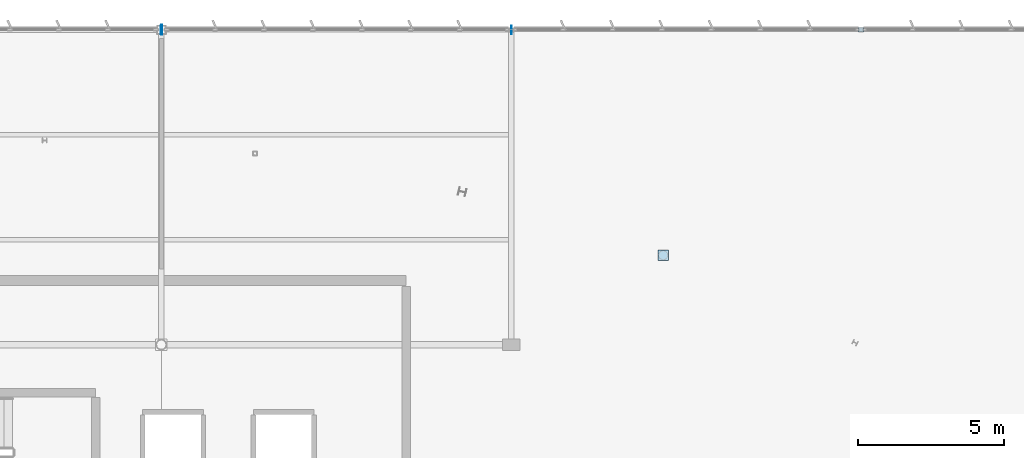
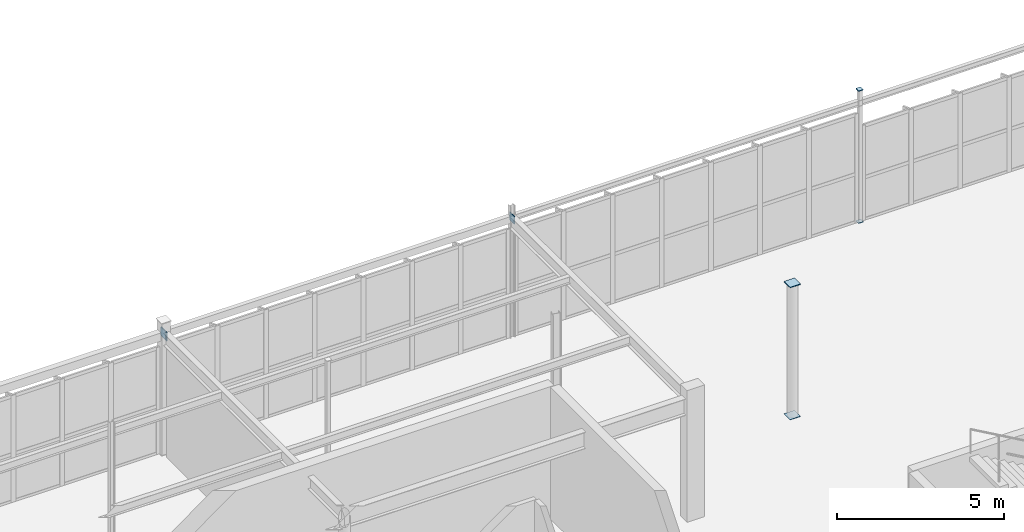
# One storey, part 177 of 226: 7 plates.
"""IFC4 building model written with IfcOpenShell, lengths in metres."""

from ifc_helpers import new_model, si_unit, direction, frame, origin, origin_2d, place, context, subcontext, project, spatial, rectangle, extrude, material, layer, layer_set, type_object, element, save


model = new_model("IFC4")

# Units and contexts
model_context = context("Model", 3, precision=1e-05, world=origin(), true_north=direction((0.0, 1.0)))
body_context = subcontext(model_context, "Body", "Model", "MODEL_VIEW")
ifc_project = project(units=[si_unit("LENGTHUNIT", "METRE"), si_unit("AREAUNIT", "SQUARE_METRE"), si_unit("VOLUMEUNIT", "CUBIC_METRE"), si_unit("PLANEANGLEUNIT", "RADIAN"), si_unit("MASSUNIT", "GRAM", prefix="KILO")], contexts=[model_context])

# Site, building, storey
site_placement = place(None, origin())
site = spatial("IfcSite", under=ifc_project, at=site_placement, CompositionType="ELEMENT")
building_placement = place(site_placement, origin())
building = spatial("IfcBuilding", under=site, at=building_placement, Name="Tarnwether General Hospital", CompositionType="ELEMENT")
storey_placement = place(building_placement, frame((0.0, 0.0, 4.800048828125)))
storey = spatial("IfcBuildingStorey", under=building, at=storey_placement, Name="L01", CompositionType="ELEMENT", Elevation=4.800048828125)

# Plates
ifc_material = material(Name="Steel Grade 350 (350 MPa)", Category="steel")
ifc_layer = layer(ifc_material, 0.02490234375)
ifc_layer_set = layer_set([ifc_layer], Name="Steel Grade 350 (350 MPa)")
plate_type = type_object("IfcPlateType", Name="PT-GUS2", PredefinedType="USERDEFINED", material=ifc_layer_set)
for number, where, z_axis, x_axis, name in (
    (1, (120.0, 126.0, -0.02490234375), (0.0, 0.0, 1.0), (1.0, 0.0, 0.0), "Hollow Section Welded End Cap Plate 0219"),
    (2, (120.0, 126.0, 4.800048828125), (0.0, 0.0, 1.0), (1.0, 0.0, 0.0), "Hollow Section Welded End Cap Plate 0220"),
):
    element("IfcPlate", number, at=place(storey_placement, frame(where, z_axis=z_axis, x_axis=x_axis)), inside=storey, type_object=plate_type, Name=name, ObjectType="GUSSET", PredefinedType="USERDEFINED", context=body_context, shape_type="SweptSolid", body=[
        extrude(rectangle(XDim=0.1650390625, YDim=0.1650390625, at=origin_2d()), origin(), (0.0, 0.0, 1.0), 0.02490234375),
    ])
for number, where, z_axis, x_axis, name in (
    (3, (113.215087890625, 118.26806640625, -0.02490234375), (0.0, 0.0, 1.0), (1.0, 0.0, 0.0), "Hollow Section Welded End Cap Plate 0565"),
    (4, (113.215087890625, 118.26806640625, 4.800048828125), (0.0, 0.0, 1.0), (1.0, 0.0, 0.0), "Hollow Section Welded End Cap Plate 0566"),
):
    element("IfcPlate", number, at=place(storey_placement, frame(where, z_axis=z_axis, x_axis=x_axis)), inside=storey, type_object=plate_type, Name=name, ObjectType="GUSSET", PredefinedType="USERDEFINED", context=body_context, shape_type="SweptSolid", body=[
        extrude(rectangle(XDim=0.364013671875, YDim=0.364013671875, at=origin_2d()), origin(), (0.0, 0.0, 1.0), 0.02490234375),
    ])
plate_placement = place(storey_placement, frame((96.012451171875, 126.0, 4.125), z_axis=(0.0, 0.0, 1.0), x_axis=(1.0, 0.0, 0.0)))
element("IfcPlate", 5, at=plate_placement, inside=storey, type_object=plate_type, Name="Hollow Section Welded End Cap Plate 0924", ObjectType="GUSSET", PredefinedType="USERDEFINED", context=body_context, shape_type="SweptSolid", body=[
    extrude(rectangle(XDim=0.02490234375, YDim=0.340087890625, at=origin_2d()), origin(), (0.0, 0.0, 1.0), 0.340087890625),
])
for number, where, z_axis, x_axis, name in (
    (6, (95.987548828125, 126.0, 4.175048828125), (0.0, 0.0, 1.0), (1.0, 0.0, 0.0), "Hollow Section Welded End Cap Plate 0925"),
    (7, (108.012451171875, 126.0, 4.175048828125), (0.0, 0.0, 1.0), (1.0, 0.0, 0.0), "Hollow Section Welded End Cap Plate 0926"),
):
    element("IfcPlate", number, at=place(storey_placement, frame(where, z_axis=z_axis, x_axis=x_axis)), inside=storey, type_object=plate_type, Name=name, ObjectType="GUSSET", PredefinedType="USERDEFINED", context=body_context, shape_type="SweptSolid", body=[
        extrude(rectangle(XDim=0.02490234375, YDim=0.2900390625, at=origin_2d()), origin(), (0.0, 0.0, 1.0), 0.2900390625),
    ])

save(model, "model.ifc")
